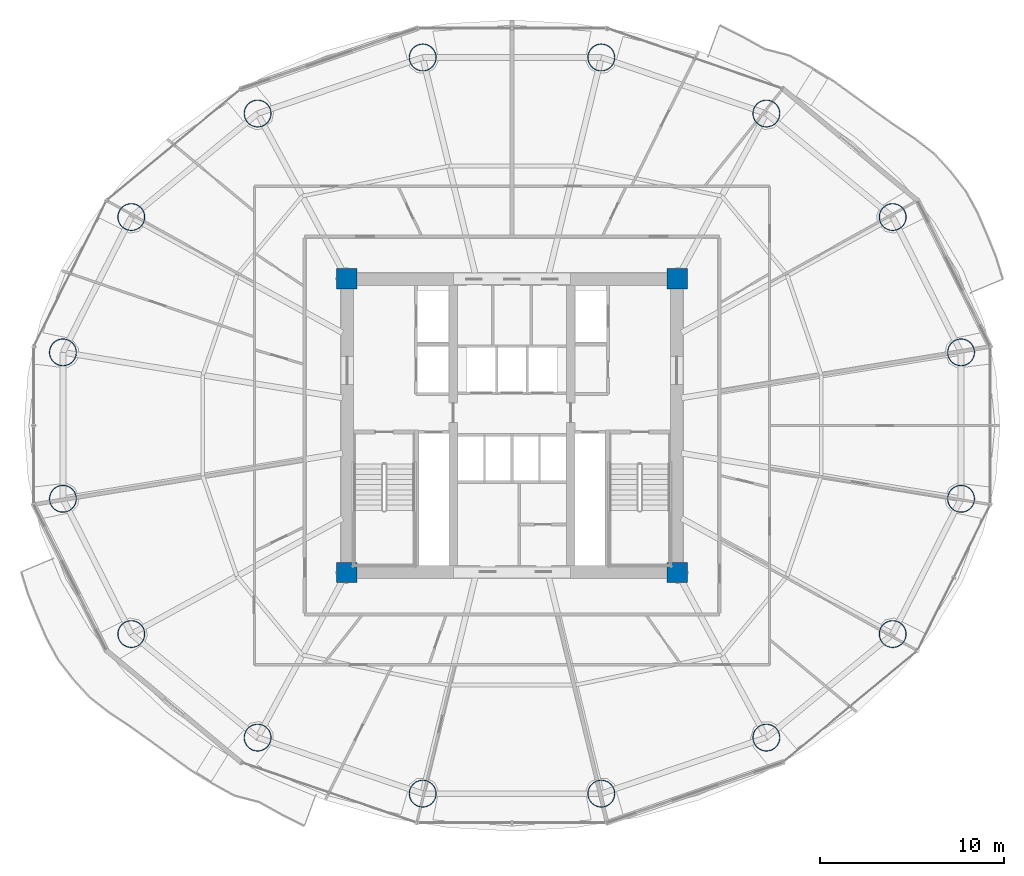
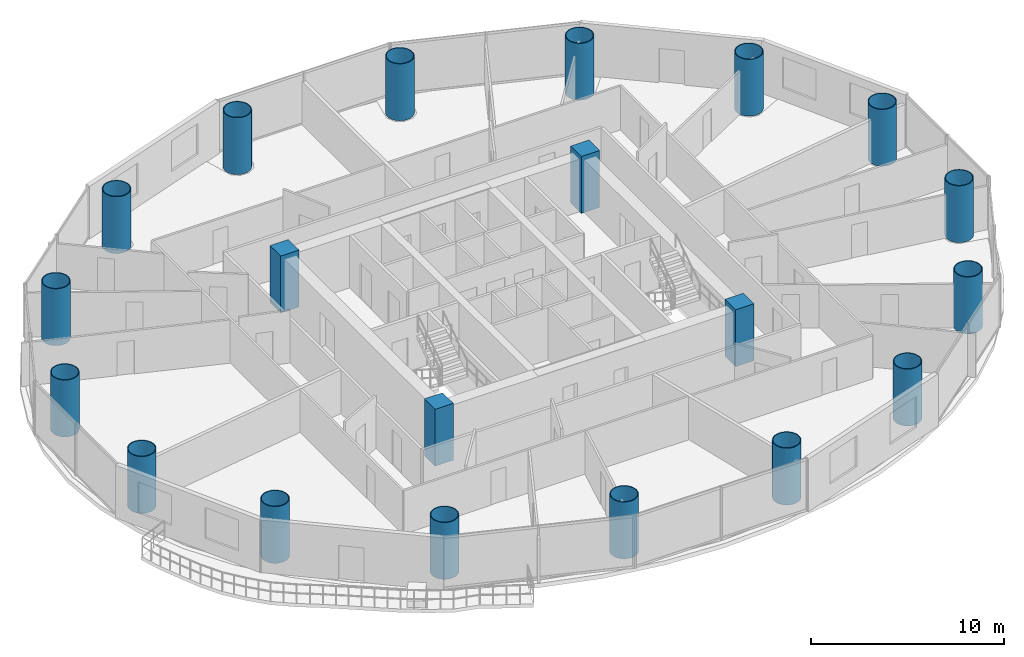
# One storey, part 1 of 29: 20 columns.
"""IFC4 building model written with IfcOpenShell, lengths in metres."""

from ifc_helpers import new_model, si_unit, direction, frame, origin, origin_2d, place, context, subcontext, project, spatial, rectangle, hollow_circle, extrude, material, material_profile, profile_set, type_object, element, save


model = new_model("IFC4")

# Units and contexts
model_context = context("Model", 3, precision=1e-05, world=origin(), true_north=direction((-0.2419218956, 0.970295726276)))
body_context = subcontext(model_context, "Body", "Model", "MODEL_VIEW")
ifc_project = project(units=[si_unit("LENGTHUNIT", "METRE"), si_unit("AREAUNIT", "SQUARE_METRE"), si_unit("VOLUMEUNIT", "CUBIC_METRE"), si_unit("PLANEANGLEUNIT", "RADIAN"), si_unit("MASSUNIT", "GRAM", prefix="KILO")], contexts=[model_context])

# Site, building, storey
site_placement = place(None, origin())
site = spatial("IfcSite", under=ifc_project, at=site_placement, CompositionType="ELEMENT")
building_placement = place(site_placement, origin())
building = spatial("IfcBuilding", under=site, at=building_placement, Name="Cobrevalo Terracotta Tower", CompositionType="ELEMENT")
storey_placement = place(building_placement, frame((0.0, 0.0, 79.800048828125)))
storey = spatial("IfcBuildingStorey", under=building, at=storey_placement, Name="L20", CompositionType="ELEMENT", Elevation=79.800048828125)

# Columns
ifc_material_1 = material(Name="Steel S355", Category="steel")
ifc_material_profile_1 = material_profile(ifc_material_1, hollow_circle(Radius=0.75, WallThickness=0.044921875, at=origin_2d()), Name="CHS 1500x45")
ifc_profile_set_1 = profile_set([ifc_material_profile_1], Name="Steel S355")
column_type_1 = type_object("IfcColumnType", Name="Structural Column CHS 1500x45 (Steel S355)", PredefinedType="COLUMN", material=ifc_profile_set_1)
for number, where, z_axis, x_axis, name in (
    (1, (62.470703125, 30.78955078125, 0.0), (0.0, 0.0, 1.0), (1.0, 0.0, 0.0), "L20 composite megacolumn MC01"),
    (2, (58.7451171875, 38.161376953125, 0.0), (0.0, 0.0, 1.0), (1.0, 0.0, 0.0), "L20 composite megacolumn MC02"),
    (3, (51.861572265625, 43.803466796875, 0.0), (0.0, 0.0, 1.0), (1.0, 0.0, 0.0), "L20 composite megacolumn MC03"),
    (4, (42.867431640625, 46.857177734375, 0.0), (0.0, 0.0, 1.0), (1.0, 0.0, 0.0), "L20 composite megacolumn MC04"),
    (5, (33.132568359375, 46.857177734375, 0.0), (0.0, 0.0, 1.0), (1.0, 0.0, 0.0), "L20 composite megacolumn MC05"),
    (6, (24.138427734375, 43.803466796875, 0.0), (0.0, 0.0, 1.0), (1.0, 0.0, 0.0), "L20 composite megacolumn MC06"),
    (7, (17.2548828125, 38.161376953125, 0.0), (0.0, 0.0, 1.0), (1.0, 0.0, 0.0), "L20 composite megacolumn MC07"),
    (8, (13.529296875, 30.78955078125, 0.0), (0.0, 0.0, 1.0), (1.0, 0.0, 0.0), "L20 composite megacolumn MC08"),
    (9, (13.529296875, 22.810302734375, 0.0), (0.0, 0.0, 1.0), (1.0, 0.0, 0.0), "L20 composite megacolumn MC09"),
    (10, (17.2548828125, 15.4384765625, 0.0), (0.0, 0.0, 1.0), (1.0, 0.0, 0.0), "L20 composite megacolumn MC10"),
    (11, (24.138427734375, 9.79638671875, 0.0), (0.0, 0.0, 1.0), (1.0, 0.0, 0.0), "L20 composite megacolumn MC11"),
    (12, (33.132568359375, 6.742919921875, 0.0), (0.0, 0.0, 1.0), (1.0, 0.0, 0.0), "L20 composite megacolumn MC12"),
    (13, (42.867431640625, 6.742919921875, 0.0), (0.0, 0.0, 1.0), (1.0, 0.0, 0.0), "L20 composite megacolumn MC13"),
    (14, (51.861572265625, 9.79638671875, 0.0), (0.0, 0.0, 1.0), (1.0, 0.0, 0.0), "L20 composite megacolumn MC14"),
    (15, (58.7451171875, 15.4384765625, 0.0), (0.0, 0.0, 1.0), (1.0, 0.0, 0.0), "L20 composite megacolumn MC15"),
    (16, (62.470703125, 22.810302734375, 0.0), (0.0, 0.0, 1.0), (1.0, 0.0, 0.0), "L20 composite megacolumn MC16"),
):
    element("IfcColumn", number, at=place(storey_placement, frame(where, z_axis=z_axis, x_axis=x_axis)), inside=storey, type_object=column_type_1, Name=name, PredefinedType="COLUMN", context=body_context, shape_type="SweptSolid", body=[
        extrude(hollow_circle(Radius=0.75, WallThickness=0.044921875, at=origin_2d()), origin(), (0.0, 0.0, 1.0), 3.599853515625),
    ])
ifc_material_2 = material(Name="Concrete C60", Category="concrete")
ifc_material_profile_2 = material_profile(ifc_material_2, rectangle(XDim=1.10009765625, YDim=1.10009765625, at=origin_2d()), Name="RC COL 1100x1100")
ifc_profile_set_2 = profile_set([ifc_material_profile_2], Name="Concrete C60")
column_type_2 = type_object("IfcColumnType", Name="Structural Column RC COL 1100x1100 (Concrete C60)", PredefinedType="COLUMN", material=ifc_profile_set_2)
for number, where, z_axis, x_axis, name in (
    (17, (29.0, 18.800048828125, 0.0), (0.0, 0.0, 1.0), (1.0, 0.0, 0.0), "L20 core corner column CC1"),
    (18, (47.0, 18.800048828125, 0.0), (0.0, 0.0, 1.0), (1.0, 0.0, 0.0), "L20 core corner column CC2"),
    (19, (47.0, 34.800048828125, 0.0), (0.0, 0.0, 1.0), (1.0, 0.0, 0.0), "L20 core corner column CC3"),
    (20, (29.0, 34.800048828125, 0.0), (0.0, 0.0, 1.0), (1.0, 0.0, 0.0), "L20 core corner column CC4"),
):
    element("IfcColumn", number, at=place(storey_placement, frame(where, z_axis=z_axis, x_axis=x_axis)), inside=storey, type_object=column_type_2, Name=name, PredefinedType="COLUMN", context=body_context, shape_type="SweptSolid", body=[
        extrude(rectangle(XDim=1.10009765625, YDim=1.10009765625, at=origin_2d()), origin(), (0.0, 0.0, 1.0), 3.599853515625),
    ])

save(model, "model.ifc")
